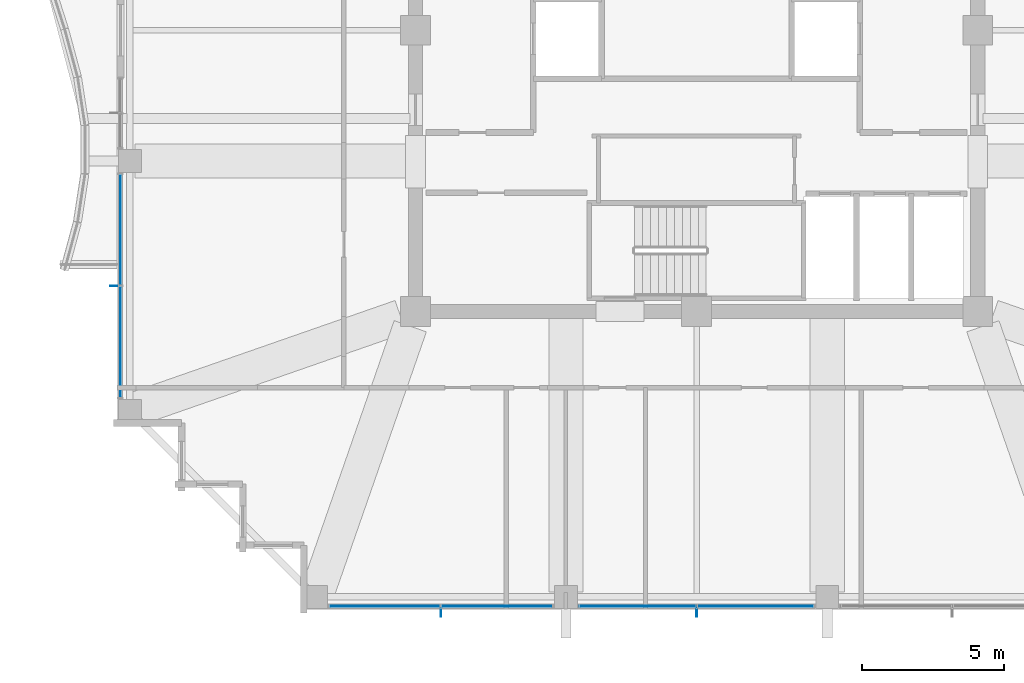
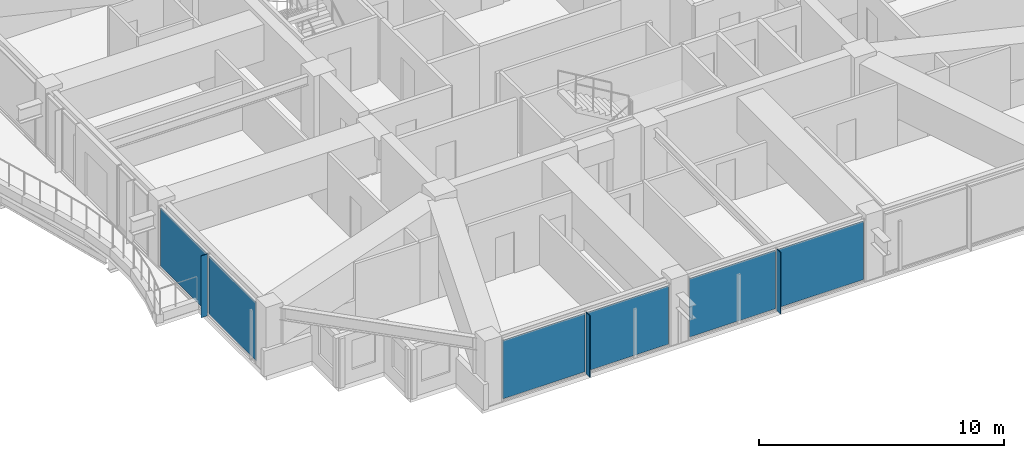
# One storey, part 22 of 35: 9 plates, 3 elements without a shape of their own.
"""IFC4 building model written with IfcOpenShell, lengths in metres."""

from ifc_helpers import new_model, si_unit, direction, frame, origin, origin_2d, place, context, subcontext, project, spatial, rectangle, extrude, material, layer, layer_set, type_object, element, aggregate, save


model = new_model("IFC4")

# Units and contexts
model_context = context("Model", 3, precision=1e-05, world=origin(), true_north=direction((0.0, 1.0)))
body_context = subcontext(model_context, "Body", "Model", "MODEL_VIEW")
ifc_project = project(units=[si_unit("LENGTHUNIT", "METRE"), si_unit("AREAUNIT", "SQUARE_METRE"), si_unit("VOLUMEUNIT", "CUBIC_METRE"), si_unit("PLANEANGLEUNIT", "RADIAN"), si_unit("MASSUNIT", "GRAM", prefix="KILO")], contexts=[model_context])

# Site, building, storey
site_placement = place(None, origin())
site = spatial("IfcSite", under=ifc_project, at=site_placement, CompositionType="ELEMENT")
building_placement = place(site_placement, origin())
building = spatial("IfcBuilding", under=site, at=building_placement, Name="Kolvaren Belvedere", CompositionType="ELEMENT")
storey_placement = place(building_placement, frame((0.0, 0.0, 203.10009765625)))
storey = spatial("IfcBuildingStorey", under=building, at=storey_placement, Name="L59", CompositionType="ELEMENT", Elevation=203.10009765625)

# Curtain wall, plates
ifc_material_1 = material(Name="Anodised pale-metal aluminium AA 6063-T6", Category="aluminium")
curtain_wall_type = type_object("IfcCurtainWallType", Name="CW-Z5-HIGH", PredefinedType="NOTDEFINED", material=ifc_material_1)
curtain_wall_1_placement = place(storey_placement, origin())
curtain_wall_1 = element("IfcCurtainWall", 1, at=curtain_wall_1_placement, inside=storey, type_object=curtain_wall_type, Name="L59 Unitised Curtain Wall FCW-L59-S-B2", PredefinedType="NOTDEFINED")
ifc_material_2 = material(Name="Low-iron triple insulated glass", Category="glass")
ifc_layer_1 = layer(ifc_material_2, 0.028076171875)
ifc_layer_set_1 = layer_set([ifc_layer_1], Name="Low-iron triple insulated glass")
plate_type_1 = type_object("IfcPlateType", Name="CW-PNL-VIS28", PredefinedType="CURTAIN_PANEL", material=ifc_layer_set_1)
plate_1_placement = place(storey_placement, frame((2.072509765625, -20.280029296875, 0.079833984375), z_axis=(0.0, 0.0, 1.0), x_axis=(-1.0, 0.0, 0.0)))
plate_1 = element("IfcPlate", 2, at=plate_1_placement, type_object=plate_type_1, Name="FCW-L59-S-B2 Vision Glazing Panel 1", PredefinedType="CURTAIN_PANEL", context=body_context, shape_type="SweptSolid", body=[
    extrude(rectangle(XDim=4.06494140625, YDim=0.028076171875, at=origin_2d()), origin(), (0.0, 0.0, 1.0), 2.919921875),
])
plate_2_placement = place(storey_placement, frame((-2.072509765625, -20.280029296875, 0.079833984375), z_axis=(0.0, 0.0, 1.0), x_axis=(-1.0, 0.0, 0.0)))
plate_2 = element("IfcPlate", 3, at=plate_2_placement, type_object=plate_type_1, Name="FCW-L59-S-B2 Vision Glazing Panel 2", PredefinedType="CURTAIN_PANEL", context=body_context, shape_type="SweptSolid", body=[
    extrude(rectangle(XDim=4.06494140625, YDim=0.028076171875, at=origin_2d()), origin(), (0.0, 0.0, 1.0), 2.919921875),
])
aggregate(curtain_wall_1, [plate_1, plate_2])

curtain_wall_2_placement = place(storey_placement, origin())
curtain_wall_2 = element("IfcCurtainWall", 4, at=curtain_wall_2_placement, inside=storey, type_object=curtain_wall_type, Name="L59 Unitised Curtain Wall FCW-L59-S-B3", PredefinedType="NOTDEFINED")
plate_3_placement = place(storey_placement, frame((-7.027587890625, -20.280029296875, 0.079833984375), z_axis=(0.0, 0.0, 1.0), x_axis=(-1.0, 0.0, 0.0)))
plate_3 = element("IfcPlate", 5, at=plate_3_placement, type_object=plate_type_1, Name="FCW-L59-S-B3 Vision Glazing Panel 1", PredefinedType="CURTAIN_PANEL", context=body_context, shape_type="SweptSolid", body=[
    extrude(rectangle(XDim=3.864990234375, YDim=0.028076171875, at=origin_2d()), origin(), (0.0, 0.0, 1.0), 2.919921875),
])
plate_4_placement = place(storey_placement, frame((-10.972412109375, -20.280029296875, 0.079833984375), z_axis=(0.0, 0.0, 1.0), x_axis=(-1.0, 0.0, 0.0)))
plate_4 = element("IfcPlate", 6, at=plate_4_placement, type_object=plate_type_1, Name="FCW-L59-S-B3 Vision Glazing Panel 2", PredefinedType="CURTAIN_PANEL", context=body_context, shape_type="SweptSolid", body=[
    extrude(rectangle(XDim=3.864990234375, YDim=0.028076171875, at=origin_2d()), origin(), (0.0, 0.0, 1.0), 2.919921875),
])
aggregate(curtain_wall_2, [plate_3, plate_4])

curtain_wall_3_placement = place(storey_placement, origin())
curtain_wall_3 = element("IfcCurtainWall", 7, at=curtain_wall_3_placement, inside=storey, type_object=curtain_wall_type, Name="L59 Unitised Curtain Wall FCW-L59-W1-B1", PredefinedType="NOTDEFINED")
plate_5_placement = place(storey_placement, frame((-20.280029296875, -10.972412109375, 0.079833984375), z_axis=(0.0, 0.0, 1.0), x_axis=(0.0, 1.0, 0.0)))
plate_5 = element("IfcPlate", 8, at=plate_5_placement, type_object=plate_type_1, Name="FCW-L59-W1-B1 Vision Glazing Panel 1", PredefinedType="CURTAIN_PANEL", context=body_context, shape_type="SweptSolid", body=[
    extrude(rectangle(XDim=3.864990234375, YDim=0.028076171875, at=origin_2d()), origin(), (0.0, 0.0, 1.0), 2.919921875),
])
plate_6_placement = place(storey_placement, frame((-20.280029296875, -7.027587890625, 0.079833984375), z_axis=(0.0, 0.0, 1.0), x_axis=(0.0, 1.0, 0.0)))
plate_6 = element("IfcPlate", 9, at=plate_6_placement, type_object=plate_type_1, Name="FCW-L59-W1-B1 Vision Glazing Panel 2", PredefinedType="CURTAIN_PANEL", context=body_context, shape_type="SweptSolid", body=[
    extrude(rectangle(XDim=3.864990234375, YDim=0.028076171875, at=origin_2d()), origin(), (0.0, 0.0, 1.0), 2.919921875),
])
aggregate(curtain_wall_3, [plate_5, plate_6])

# Plates
ifc_material_3 = material(Name="Anodised pale-metal aluminium AA 6063-T6", Category="aluminium")
ifc_layer_2 = layer(ifc_material_3, 0.030029296875)
ifc_layer_set_2 = layer_set([ifc_layer_2], Name="Anodised pale-metal aluminium AA 6063-T6")
plate_type_2 = type_object("IfcPlateType", Name="FIN-VERT-300", PredefinedType="USERDEFINED", material=ifc_layer_set_2)
for number, where, z_axis, x_axis, name in (
    (10, (0.0, -20.489990234375, -0.000244140625), (0.0, 0.0, 1.0), (0.0, 1.0, 0.0), "L59 Pale-Metal Vertical Shading Fin FCW-L59-S-B2-1"),
    (11, (-9.0, -20.489990234375, -0.000244140625), (0.0, 0.0, 1.0), (0.0, 1.0, 0.0), "L59 Pale-Metal Vertical Shading Fin FCW-L59-S-B3-1"),
    (12, (-20.489990234375, -9.0, -0.000244140625), (0.0, 0.0, 1.0), (1.0, 0.0, 0.0), "L59 Pale-Metal Vertical Shading Fin FCW-L59-W1-B1-1"),
):
    element("IfcPlate", number, at=place(storey_placement, frame(where, z_axis=z_axis, x_axis=x_axis)), inside=storey, type_object=plate_type_2, Name=name, ObjectType="VERTICAL FIN", PredefinedType="USERDEFINED", context=body_context, shape_type="SweptSolid", body=[
        extrude(rectangle(XDim=0.300048828125, YDim=0.030029296875, at=origin_2d()), origin(), (0.0, 0.0, 1.0), 3.080078125),
    ])

save(model, "model.ifc")
